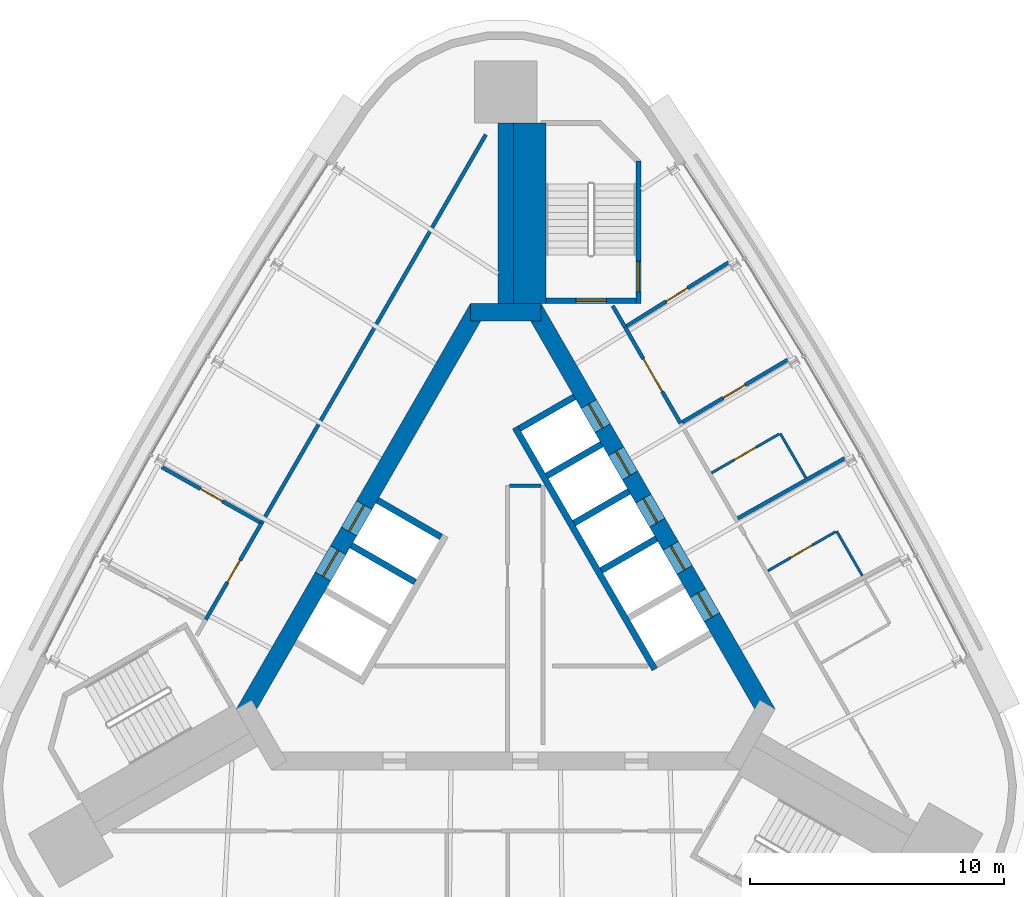
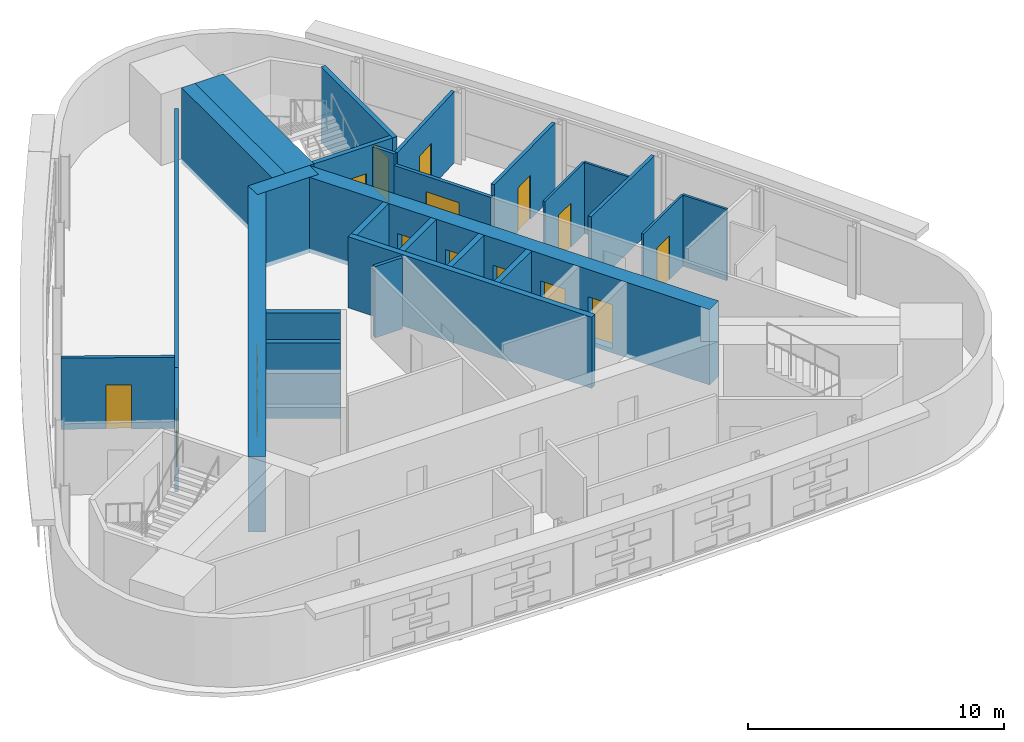
# One storey, part 7 of 10: 27 walls, 16 doors, 16 openings.
"""IFC4 building model written with IfcOpenShell, lengths in metres."""

from ifc_helpers import new_model, si_unit, direction, frame, frame_2d, origin, place, context, subcontext, project, spatial, rectangle, extrude, material, layer, layer_set, type_object, element, fill, save


model = new_model("IFC4")

# Units and contexts
model_context = context("Model", 3, precision=1e-05, world=origin(), true_north=direction((0.0, 1.0)))
body_context = subcontext(model_context, "Body", "Model", "MODEL_VIEW")
ifc_project = project(units=[si_unit("LENGTHUNIT", "METRE"), si_unit("AREAUNIT", "SQUARE_METRE"), si_unit("VOLUMEUNIT", "CUBIC_METRE"), si_unit("PLANEANGLEUNIT", "RADIAN"), si_unit("MASSUNIT", "GRAM", prefix="KILO")], contexts=[model_context])

# Site, building, storey
site_placement = place(None, origin())
site = spatial("IfcSite", under=ifc_project, at=site_placement, CompositionType="ELEMENT")
building_placement = place(site_placement, origin())
building = spatial("IfcBuilding", under=site, at=building_placement, Name="Noor Cloister Tower", CompositionType="ELEMENT")
storey_placement = place(building_placement, frame((0.0, 0.0, 240.0)))
storey = spatial("IfcBuildingStorey", under=building, at=storey_placement, Name="L62", CompositionType="ELEMENT", Elevation=240.0)

# Walls
ifc_material_1 = material(Name="Concrete C60/75", Category="concrete")
ifc_layer_1 = layer(ifc_material_1, 0.60009765625)
ifc_layer_set_1 = layer_set([ifc_layer_1], Name="Buttress wall 600 C60/75")
wall_type_1 = type_object("IfcWallType", Name="Buttress wall 600 C60/75", PredefinedType="SHEAR", material=ifc_layer_set_1)
wall_1_placement = place(storey_placement, frame((0.0, 11.456298828125, -0.199951171875), z_axis=(0.0, 0.0, 1.0), x_axis=(0.0, 1.0, 0.0)))
element("IfcWall", 1, at=wall_1_placement, inside=storey, type_object=wall_type_1, Name="Buttress wall N L62", PredefinedType="SHEAR", context=body_context, shape_type="SweptSolid", body=[
    extrude(rectangle(XDim=7.09375, YDim=0.60009765625, at=frame_2d((3.546875, 0.0))), origin(), (0.0, 0.0, 1.0), 3.599853515625),
])
ifc_material_2 = material(Name="Concrete C30/37", Category="concrete")
ifc_layer_2 = layer(ifc_material_2, 0.14990234375)
ifc_layer_set_2 = layer_set([ifc_layer_2], Name="Core partition 150 C30/37")
wall_type_2 = type_object("IfcWallType", Name="Core partition 150 C30/37", PredefinedType="PARTITIONING", material=ifc_layer_set_2)
wall_2_placement = place(storey_placement, frame((0.146240234375, 4.271728515625, 0.0), z_axis=(0.0, 0.0, 1.0), x_axis=(1.0, 0.0, 0.0)))
element("IfcWall", 2, at=wall_2_placement, inside=storey, type_object=wall_type_2, Name="Core room partition L62 3", PredefinedType="PARTITIONING", context=body_context, shape_type="SweptSolid", body=[
    extrude(rectangle(XDim=1.25, YDim=0.14990234375, at=frame_2d((0.625, 0.0))), origin(), (0.0, 0.0, 1.0), 3.39990234375),
])

# Wall, openings, doors
ifc_material_3 = material(Name="Concrete C60/75", Category="concrete")
ifc_layer_3 = layer(ifc_material_3, 0.699951171875)
ifc_layer_set_3 = layer_set([ifc_layer_3], Name="Core wall 700 C60/75")
wall_type_3 = type_object("IfcWallType", Name="Core wall 700 C60/75", PredefinedType="SHEAR", material=ifc_layer_set_3)
wall_3_placement = place(storey_placement, frame((10.311279296875, -4.703125, -0.199951171875), z_axis=(0.0, 0.0, 1.0), x_axis=(-0.500001446645, 0.866024568562, 0.0)))
wall_3 = element("IfcWall", 3, at=wall_3_placement, inside=storey, type_object=wall_type_3, Name="Core wall L62 3", PredefinedType="SHEAR", context=body_context, shape_type="SweptSolid", body=[
    extrude(rectangle(XDim=18.45751953125, YDim=0.699951171875, at=frame_2d((9.228759765625, 0.0))), origin(), (0.0, 0.0, 1.0), 3.599853515625),
])
opening_1_placement = place(wall_3_placement, frame((4.378662109375, 0.0, 0.199951171875)))
opening_1 = element("IfcOpeningElement", 4, at=opening_1_placement, cuts=wall_3, Name="Opening L62-HR1", PredefinedType="OPENING", context=body_context, shape_type="SweptSolid", body=[
    extrude(rectangle(XDim=1.10009765625, YDim=2.10009765625, at=frame_2d((0.550048828125, 1.050048828125))), frame((0.0, 0.35986328125, 0.0), z_axis=(0.0, -1.0, 0.0), x_axis=(1.0, 0.0, 0.0)), (0.0, 0.0, 1.0), 0.719970703125),
])
opening_2_placement = place(wall_3_placement, frame((6.52880859375, 0.0, 0.199951171875)))
opening_2 = element("IfcOpeningElement", 5, at=opening_2_placement, cuts=wall_3, Name="Opening L62-HR2", PredefinedType="OPENING", context=body_context, shape_type="SweptSolid", body=[
    extrude(rectangle(XDim=1.10009765625, YDim=2.10009765625, at=frame_2d((0.550048828125, 1.050048828125))), frame((0.0, 0.35986328125, 0.0), z_axis=(0.0, -1.0, 0.0), x_axis=(1.0, 0.0, 0.0)), (0.0, 0.0, 1.0), 0.719970703125),
])
opening_3_placement = place(wall_3_placement, frame((8.6787109375, 0.0, 0.199951171875)))
opening_3 = element("IfcOpeningElement", 6, at=opening_3_placement, cuts=wall_3, Name="Opening L62-HR3", PredefinedType="OPENING", context=body_context, shape_type="SweptSolid", body=[
    extrude(rectangle(XDim=1.10009765625, YDim=2.10009765625, at=frame_2d((0.550048828125, 1.050048828125))), frame((0.0, 0.35986328125, 0.0), z_axis=(0.0, -1.0, 0.0), x_axis=(1.0, 0.0, 0.0)), (0.0, 0.0, 1.0), 0.719970703125),
])
opening_4_placement = place(wall_3_placement, frame((10.82861328125, 0.0, 0.199951171875)))
opening_4 = element("IfcOpeningElement", 7, at=opening_4_placement, cuts=wall_3, Name="Opening L62-HR4", PredefinedType="OPENING", context=body_context, shape_type="SweptSolid", body=[
    extrude(rectangle(XDim=1.10009765625, YDim=2.10009765625, at=frame_2d((0.550048828125, 1.050048828125))), frame((0.0, 0.35986328125, 0.0), z_axis=(0.0, -1.0, 0.0), x_axis=(1.0, 0.0, 0.0)), (0.0, 0.0, 1.0), 0.719970703125),
])
opening_5_placement = place(wall_3_placement, frame((12.978759765625, 0.0, 0.199951171875)))
opening_5 = element("IfcOpeningElement", 8, at=opening_5_placement, cuts=wall_3, Name="Opening L62-HR5", PredefinedType="OPENING", context=body_context, shape_type="SweptSolid", body=[
    extrude(rectangle(XDim=1.10009765625, YDim=2.10009765625, at=frame_2d((0.550048828125, 1.050048828125))), frame((0.0, 0.35986328125, 0.0), z_axis=(0.0, -1.0, 0.0), x_axis=(1.0, 0.0, 0.0)), (0.0, 0.0, 1.0), 0.719970703125),
])
ifc_material_4 = material(Name="Stainless steel", Category="steel")
door_type_1 = type_object("IfcDoorType", Name="Lift landing door 1100 x 2100", OperationType="DOUBLE_DOOR_SLIDING", PredefinedType="DOOR", material=ifc_material_4)
door_1_placement = place(opening_1_placement, origin())
door_1 = element("IfcDoor", 9, at=door_1_placement, inside=storey, type_object=door_type_1, Name="Landing door HR1 L62", OperationType="DOUBLE_DOOR_SLIDING", OverallHeight=2.10009765625, OverallWidth=1.10009765625, PredefinedType="DOOR", context=body_context, shape_type="SweptSolid", body=[
    extrude(rectangle(XDim=1.10009765625, YDim=2.10009765625, at=frame_2d((0.550048828125, 1.050048828125))), frame((0.0, 0.02490234375, 0.0), z_axis=(0.0, -1.0, 0.0), x_axis=(1.0, 0.0, 0.0)), (0.0, 0.0, 1.0), 0.050048828125),
])
fill(opening_1, door_1)
door_2_placement = place(opening_2_placement, origin())
door_2 = element("IfcDoor", 10, at=door_2_placement, inside=storey, type_object=door_type_1, Name="Landing door HR2 L62", OperationType="DOUBLE_DOOR_SLIDING", OverallHeight=2.10009765625, OverallWidth=1.10009765625, PredefinedType="DOOR", context=body_context, shape_type="SweptSolid", body=[
    extrude(rectangle(XDim=1.10009765625, YDim=2.10009765625, at=frame_2d((0.550048828125, 1.050048828125))), frame((0.0, 0.02490234375, 0.0), z_axis=(0.0, -1.0, 0.0), x_axis=(1.0, 0.0, 0.0)), (0.0, 0.0, 1.0), 0.050048828125),
])
fill(opening_2, door_2)
door_3_placement = place(opening_3_placement, origin())
door_3 = element("IfcDoor", 11, at=door_3_placement, inside=storey, type_object=door_type_1, Name="Landing door HR3 L62", OperationType="DOUBLE_DOOR_SLIDING", OverallHeight=2.10009765625, OverallWidth=1.10009765625, PredefinedType="DOOR", context=body_context, shape_type="SweptSolid", body=[
    extrude(rectangle(XDim=1.10009765625, YDim=2.10009765625, at=frame_2d((0.550048828125, 1.050048828125))), frame((0.0, 0.02490234375, 0.0), z_axis=(0.0, -1.0, 0.0), x_axis=(1.0, 0.0, 0.0)), (0.0, 0.0, 1.0), 0.050048828125),
])
fill(opening_3, door_3)
door_4_placement = place(opening_4_placement, origin())
door_4 = element("IfcDoor", 12, at=door_4_placement, inside=storey, type_object=door_type_1, Name="Landing door HR4 L62", OperationType="DOUBLE_DOOR_SLIDING", OverallHeight=2.10009765625, OverallWidth=1.10009765625, PredefinedType="DOOR", context=body_context, shape_type="SweptSolid", body=[
    extrude(rectangle(XDim=1.10009765625, YDim=2.10009765625, at=frame_2d((0.550048828125, 1.050048828125))), frame((0.0, 0.02490234375, 0.0), z_axis=(0.0, -1.0, 0.0), x_axis=(1.0, 0.0, 0.0)), (0.0, 0.0, 1.0), 0.050048828125),
])
fill(opening_4, door_4)
door_5_placement = place(opening_5_placement, origin())
door_5 = element("IfcDoor", 13, at=door_5_placement, inside=storey, type_object=door_type_1, Name="Landing door HR5 L62", OperationType="DOUBLE_DOOR_SLIDING", OverallHeight=2.10009765625, OverallWidth=1.10009765625, PredefinedType="DOOR", context=body_context, shape_type="SweptSolid", body=[
    extrude(rectangle(XDim=1.10009765625, YDim=2.10009765625, at=frame_2d((0.550048828125, 1.050048828125))), frame((0.0, 0.02490234375, 0.0), z_axis=(0.0, -1.0, 0.0), x_axis=(1.0, 0.0, 0.0)), (0.0, 0.0, 1.0), 0.050048828125),
])
fill(opening_5, door_5)

# Wall
wall_4_placement = place(storey_placement, frame((1.3857421875, 11.1064453125, -0.199951171875), z_axis=(0.0, 0.0, 1.0), x_axis=(-1.0, 0.0, 0.0)))
element("IfcWall", 14, at=wall_4_placement, inside=storey, type_object=wall_type_3, Name="Core wall L62 4", PredefinedType="SHEAR", context=body_context, shape_type="SweptSolid", body=[
    extrude(rectangle(XDim=2.771484375, YDim=0.699951171875, at=frame_2d((1.3857421875, 0.0))), origin(), (0.0, 0.0, 1.0), 3.599853515625),
])

# Wall, openings, doors
wall_5_placement = place(storey_placement, frame((-1.08251953125, 11.281494140625, -0.199951171875), z_axis=(0.0, 0.0, 1.0), x_axis=(-0.500001446645, -0.866024568562, 0.0)))
wall_5 = element("IfcWall", 15, at=wall_5_placement, inside=storey, type_object=wall_type_3, Name="Core wall L62 5", PredefinedType="SHEAR", context=body_context, shape_type="SweptSolid", body=[
    extrude(rectangle(XDim=18.45751953125, YDim=0.699951171875, at=frame_2d((9.228759765625, 0.0))), origin(), (0.0, 0.0, 1.0), 3.599853515625),
])
opening_6_placement = place(wall_5_placement, frame((8.978759765625, 0.0, 0.199951171875)))
opening_6 = element("IfcOpeningElement", 16, at=opening_6_placement, cuts=wall_5, Name="Opening L62-FF1", PredefinedType="OPENING", context=body_context, shape_type="SweptSolid", body=[
    extrude(rectangle(XDim=1.199951171875, YDim=2.10009765625, at=frame_2d((0.60009765625, 1.050048828125))), frame((0.0, 0.35986328125, 0.0), z_axis=(0.0, -1.0, 0.0), x_axis=(1.0, 0.0, 0.0)), (0.0, 0.0, 1.0), 0.719970703125),
])
opening_7_placement = place(wall_5_placement, frame((11.02880859375, 0.0, 0.199951171875)))
opening_7 = element("IfcOpeningElement", 17, at=opening_7_placement, cuts=wall_5, Name="Opening L62-FF2", PredefinedType="OPENING", context=body_context, shape_type="SweptSolid", body=[
    extrude(rectangle(XDim=1.199951171875, YDim=2.10009765625, at=frame_2d((0.60009765625, 1.050048828125))), frame((0.0, 0.35986328125, 0.0), z_axis=(0.0, -1.0, 0.0), x_axis=(1.0, 0.0, 0.0)), (0.0, 0.0, 1.0), 0.719970703125),
])
ifc_material_5 = material(Name="Stainless steel", Category="steel")
door_type_2 = type_object("IfcDoorType", Name="Lift landing door 1200 x 2100", OperationType="DOUBLE_DOOR_SLIDING", PredefinedType="DOOR", material=ifc_material_5)
door_6_placement = place(opening_6_placement, origin())
door_6 = element("IfcDoor", 18, at=door_6_placement, inside=storey, type_object=door_type_2, Name="Landing door FF1 L62", OperationType="DOUBLE_DOOR_SLIDING", OverallHeight=2.10009765625, OverallWidth=1.199951171875, PredefinedType="DOOR", context=body_context, shape_type="SweptSolid", body=[
    extrude(rectangle(XDim=1.199951171875, YDim=2.10009765625, at=frame_2d((0.60009765625, 1.050048828125))), frame((0.0, 0.02490234375, 0.0), z_axis=(0.0, -1.0, 0.0), x_axis=(1.0, 0.0, 0.0)), (0.0, 0.0, 1.0), 0.050048828125),
])
fill(opening_6, door_6)
door_7_placement = place(opening_7_placement, origin())
door_7 = element("IfcDoor", 19, at=door_7_placement, inside=storey, type_object=door_type_2, Name="Landing door FF2 L62", OperationType="DOUBLE_DOOR_SLIDING", OverallHeight=2.10009765625, OverallWidth=1.199951171875, PredefinedType="DOOR", context=body_context, shape_type="SweptSolid", body=[
    extrude(rectangle(XDim=1.199951171875, YDim=2.10009765625, at=frame_2d((0.60009765625, 1.050048828125))), frame((0.0, 0.02490234375, 0.0), z_axis=(0.0, -1.0, 0.0), x_axis=(1.0, 0.0, 0.0)), (0.0, 0.0, 1.0), 0.050048828125),
])
fill(opening_7, door_7)

# Wall
ifc_material_6 = material(Name="Fire-rated gypsum board partition on steel studs, 150 mm", Category="steel")
ifc_layer_4 = layer(ifc_material_6, 0.14990234375)
ifc_layer_set_4 = layer_set([ifc_layer_4], Name="Fire lobby wall 150")
wall_type_4 = type_object("IfcWallType", Name="Fire lobby wall 150", PredefinedType="PARTITIONING", material=ifc_layer_set_4)
wall_6_placement = place(storey_placement, frame((-0.783203125, 18.10009765625, 0.0), z_axis=(0.0, 0.0, 1.0), x_axis=(-0.499991500055, -0.866030311174, 0.0)))
element("IfcWall", 20, at=wall_6_placement, inside=storey, type_object=wall_type_4, Name="Wall L62-W21", PredefinedType="PARTITIONING", context=body_context, shape_type="SweptSolid", body=[
    extrude(rectangle(XDim=17.673583984375, YDim=0.14990234375, at=frame_2d((8.8369140625, 0.0))), origin(), (0.0, 0.0, 1.0), 2.85205078125),
])

# Wall, opening, door
wall_7_placement = place(storey_placement, frame((-9.619873046875, 2.794189453125, 0.0), z_axis=(0.0, 0.0, 1.0), x_axis=(-0.500021421018, -0.866013036001, 0.0)))
wall_7 = element("IfcWall", 21, at=wall_7_placement, inside=storey, type_object=wall_type_4, Name="Wall L62-W25", PredefinedType="PARTITIONING", context=body_context, shape_type="SweptSolid", body=[
    extrude(rectangle(XDim=4.382568359375, YDim=0.14990234375, at=frame_2d((2.19140625, 0.0))), origin(), (0.0, 0.0, 1.0), 2.85205078125),
])
opening_8_placement = place(wall_7_placement, frame((1.69140625, 0.0, 0.0)))
opening_8 = element("IfcOpeningElement", 22, at=opening_8_placement, cuts=wall_7, Name="Opening L62-014", PredefinedType="OPENING", context=body_context, shape_type="SweptSolid", body=[
    extrude(rectangle(XDim=1.0, YDim=2.10009765625, at=frame_2d((0.5, 1.050048828125))), frame((0.0, 0.0849609375, 0.0), z_axis=(0.0, -1.0, 0.0), x_axis=(1.0, 0.0, 0.0)), (0.0, 0.0, 1.0), 0.169921875),
])
ifc_material_7 = material(Name="Timber door leaf with steel frame", Category="steel")
door_type_3 = type_object("IfcDoorType", Name="Fire lobby door 1000", OperationType="NOTDEFINED", PredefinedType="DOOR", material=ifc_material_7)
door_8_placement = place(opening_8_placement, origin())
door_8 = element("IfcDoor", 23, at=door_8_placement, inside=storey, type_object=door_type_3, Name="Door L62-014", OperationType="SINGLE_SWING_RIGHT", OverallHeight=2.10009765625, OverallWidth=1.0, PredefinedType="DOOR", context=body_context, shape_type="SweptSolid", body=[
    extrude(rectangle(XDim=1.0, YDim=2.10009765625, at=frame_2d((0.5, 1.050048828125))), frame((0.0, 0.02490234375, 0.0), z_axis=(0.0, -1.0, 0.0), x_axis=(1.0, 0.0, 0.0)), (0.0, 0.0, 1.0), 0.050048828125),
])
fill(opening_8, door_8)

# Wall
ifc_material_8 = material(Name="Gypsum board partition on steel studs, 150 mm", Category="steel")
ifc_layer_5 = layer(ifc_material_8, 0.14990234375)
ifc_layer_set_5 = layer_set([ifc_layer_5], Name="Flat wall 150")
wall_type_5 = type_object("IfcWallType", Name="Flat wall 150", PredefinedType="PARTITIONING", material=ifc_layer_set_5)
wall_8_placement = place(storey_placement, frame((4.698974609375, 10.517578125, 0.0), z_axis=(0.0, 0.0, 1.0), x_axis=(-0.500042431503, 0.866000904559, 0.0)))
element("IfcWall", 24, at=wall_8_placement, inside=storey, type_object=wall_type_5, Name="Wall L62-W02", PredefinedType="PARTITIONING", context=body_context, shape_type="SweptSolid", body=[
    extrude(rectangle(XDim=0.96875, YDim=0.14990234375, at=frame_2d((0.484375, 0.0))), origin(), (0.0, 0.0, 1.0), 3.39990234375),
])

# Wall, opening, door
wall_9_placement = place(storey_placement, frame((11.115966796875, 9.237548828125, 0.0), z_axis=(0.0, 0.0, 1.0), x_axis=(-0.860234203322, -0.509899122803, 0.0)))
wall_9 = element("IfcWall", 25, at=wall_9_placement, inside=storey, type_object=wall_type_5, Name="Wall L62-W03", PredefinedType="PARTITIONING", context=body_context, shape_type="SweptSolid", body=[
    extrude(rectangle(XDim=4.842529296875, YDim=0.14990234375, at=frame_2d((2.42138671875, 0.0))), origin(), (0.0, 0.0, 1.0), 3.39990234375),
])
opening_9_placement = place(wall_9_placement, frame((1.958740234375, 0.0, 0.0)))
opening_9 = element("IfcOpeningElement", 26, at=opening_9_placement, cuts=wall_9, Name="Opening L62-007", PredefinedType="OPENING", context=body_context, shape_type="SweptSolid", body=[
    extrude(rectangle(XDim=1.0, YDim=2.10009765625, at=frame_2d((0.5, 1.050048828125))), frame((0.0, 0.0849609375, 0.0), z_axis=(0.0, -1.0, 0.0), x_axis=(1.0, 0.0, 0.0)), (0.0, 0.0, 1.0), 0.169921875),
])
ifc_material_9 = material(Name="Timber door leaf with steel frame", Category="steel")
door_type_4 = type_object("IfcDoorType", Name="Flat entrance door 1000", OperationType="NOTDEFINED", PredefinedType="DOOR", material=ifc_material_9)
door_9_placement = place(opening_9_placement, origin())
door_9 = element("IfcDoor", 27, at=door_9_placement, inside=storey, type_object=door_type_4, Name="Door L62-007", OperationType="SINGLE_SWING_LEFT", OverallHeight=2.10009765625, OverallWidth=1.0, PredefinedType="DOOR", context=body_context, shape_type="SweptSolid", body=[
    extrude(rectangle(XDim=1.0, YDim=2.10009765625, at=frame_2d((0.5, 1.050048828125))), frame((0.0, 0.02490234375, 0.0), z_axis=(0.0, -1.0, 0.0), x_axis=(1.0, 0.0, 0.0)), (0.0, 0.0, 1.0), 0.050048828125),
])
fill(opening_9, door_9)

wall_10_placement = place(storey_placement, frame((8.78173828125, 13.065673828125, 0.0), z_axis=(0.0, 0.0, 1.0), x_axis=(-0.848316605914, -0.529489316351, 0.0)))
wall_10 = element("IfcWall", 28, at=wall_10_placement, inside=storey, type_object=wall_type_5, Name="Wall L62-W04", PredefinedType="PARTITIONING", context=body_context, shape_type="SweptSolid", body=[
    extrude(rectangle(XDim=4.737548828125, YDim=0.14990234375, at=frame_2d((2.36865234375, 0.0))), origin(), (0.0, 0.0, 1.0), 3.39990234375),
])
opening_10_placement = place(wall_10_placement, frame((1.90625, 0.0, 0.0)))
opening_10 = element("IfcOpeningElement", 29, at=opening_10_placement, cuts=wall_10, Name="Opening L62-008", PredefinedType="OPENING", context=body_context, shape_type="SweptSolid", body=[
    extrude(rectangle(XDim=1.0, YDim=2.10009765625, at=frame_2d((0.5, 1.050048828125))), frame((0.0, 0.0849609375, 0.0), z_axis=(0.0, -1.0, 0.0), x_axis=(1.0, 0.0, 0.0)), (0.0, 0.0, 1.0), 0.169921875),
])
ifc_material_10 = material(Name="Timber door leaf with steel frame", Category="steel")
door_type_5 = type_object("IfcDoorType", Name="Interior door 1000 FD60", OperationType="NOTDEFINED", PredefinedType="DOOR", material=ifc_material_10)
door_10_placement = place(opening_10_placement, origin())
door_10 = element("IfcDoor", 30, at=door_10_placement, inside=storey, type_object=door_type_5, Name="Door L62-008", OperationType="SINGLE_SWING_RIGHT", OverallHeight=2.10009765625, OverallWidth=1.0, PredefinedType="DOOR", context=body_context, shape_type="SweptSolid", body=[
    extrude(rectangle(XDim=1.0, YDim=2.10009765625, at=frame_2d((0.5, 1.050048828125))), frame((0.0, 0.02490234375, 0.0), z_axis=(0.0, -1.0, 0.0), x_axis=(1.0, 0.0, 0.0)), (0.0, 0.0, 1.0), 0.050048828125),
])
fill(opening_10, door_10)

wall_11_placement = place(storey_placement, frame((6.8857421875, 6.72998046875, 0.0), z_axis=(0.0, 0.0, 1.0), x_axis=(-0.499999494409, 0.866025695687, 0.0)))
wall_11 = element("IfcWall", 31, at=wall_11_placement, inside=storey, type_object=wall_type_5, Name="Wall L62-W05", PredefinedType="PARTITIONING", context=body_context, shape_type="SweptSolid", body=[
    extrude(rectangle(XDim=4.37353515625, YDim=0.14990234375, at=frame_2d((2.186767578125, 0.0))), origin(), (0.0, 0.0, 1.0), 2.85205078125),
])
opening_11_placement = place(wall_11_placement, frame((1.436767578125, 0.0, 0.0)))
opening_11 = element("IfcOpeningElement", 32, at=opening_11_placement, cuts=wall_11, Name="Opening L62-001", PredefinedType="OPENING", context=body_context, shape_type="SweptSolid", body=[
    extrude(rectangle(XDim=1.5, YDim=2.10009765625, at=frame_2d((0.75, 1.050048828125))), frame((0.0, 0.0849609375, 0.0), z_axis=(0.0, -1.0, 0.0), x_axis=(1.0, 0.0, 0.0)), (0.0, 0.0, 1.0), 0.169921875),
])
ifc_material_11 = material(Name="Timber door leaf with steel frame", Category="steel")
door_type_6 = type_object("IfcDoorType", Name="Double door 1500 FD60", OperationType="NOTDEFINED", PredefinedType="DOOR", material=ifc_material_11)
door_11_placement = place(opening_11_placement, origin())
door_11 = element("IfcDoor", 33, at=door_11_placement, inside=storey, type_object=door_type_6, Name="Door L62-001", OperationType="DOUBLE_DOOR_SINGLE_SWING", OverallHeight=2.10009765625, OverallWidth=1.5, PredefinedType="DOOR", context=body_context, shape_type="SweptSolid", body=[
    extrude(rectangle(XDim=1.5, YDim=2.10009765625, at=frame_2d((0.75, 1.050048828125))), frame((0.0, 0.02490234375, 0.0), z_axis=(0.0, -1.0, 0.0), x_axis=(1.0, 0.0, 0.0)), (0.0, 0.0, 1.0), 0.050048828125),
])
fill(opening_11, door_11)

# Wall
wall_12_placement = place(storey_placement, frame((13.36181640625, 5.356689453125, 0.0), z_axis=(0.0, 0.0, 1.0), x_axis=(-0.871708672205, -0.490024479799, 0.0)))
element("IfcWall", 34, at=wall_12_placement, inside=storey, type_object=wall_type_5, Name="Wall L62-W11", PredefinedType="PARTITIONING", context=body_context, shape_type="SweptSolid", body=[
    extrude(rectangle(XDim=4.84716796875, YDim=0.14990234375, at=frame_2d((2.423583984375, 0.0))), origin(), (0.0, 0.0, 1.0), 3.39990234375),
])

# Wall, opening, door
wall_13_placement = place(storey_placement, frame((-13.557861328125, 5.008056640625, 0.0), z_axis=(0.0, 0.0, 1.0), x_axis=(0.871701726161, -0.490036835971, 0.0)))
wall_13 = element("IfcWall", 35, at=wall_13_placement, inside=storey, type_object=wall_type_5, Name="Wall L62-W23", PredefinedType="PARTITIONING", context=body_context, shape_type="SweptSolid", body=[
    extrude(rectangle(XDim=4.442626953125, YDim=0.14990234375, at=frame_2d((2.22119140625, 0.0))), origin(), (0.0, 0.0, 1.0), 3.39990234375),
])
opening_12_placement = place(wall_13_placement, frame((1.7587890625, 0.0, 0.0)))
opening_12 = element("IfcOpeningElement", 36, at=opening_12_placement, cuts=wall_13, Name="Opening L62-015", PredefinedType="OPENING", context=body_context, shape_type="SweptSolid", body=[
    extrude(rectangle(XDim=1.0, YDim=2.10009765625, at=frame_2d((0.5, 1.050048828125))), frame((0.0, 0.0849609375, 0.0), z_axis=(0.0, -1.0, 0.0), x_axis=(1.0, 0.0, 0.0)), (0.0, 0.0, 1.0), 0.169921875),
])
door_12_placement = place(opening_12_placement, origin())
door_12 = element("IfcDoor", 37, at=door_12_placement, inside=storey, type_object=door_type_5, Name="Door L62-015", OperationType="SINGLE_SWING_LEFT", OverallHeight=2.10009765625, OverallWidth=1.0, PredefinedType="DOOR", context=body_context, shape_type="SweptSolid", body=[
    extrude(rectangle(XDim=1.0, YDim=2.10009765625, at=frame_2d((0.5, 1.050048828125))), frame((0.0, 0.02490234375, 0.0), z_axis=(0.0, -1.0, 0.0), x_axis=(1.0, 0.0, 0.0)), (0.0, 0.0, 1.0), 0.050048828125),
])
fill(opening_12, door_12)

# Wall
ifc_material_12 = material(Name="Gypsum board partition on steel studs, 100 mm", Category="steel")
ifc_layer_6 = layer(ifc_material_12, 0.10009765625)
ifc_layer_set_6 = layer_set([ifc_layer_6], Name="Partition 100")
wall_type_6 = type_object("IfcWallType", Name="Partition 100", PredefinedType="PARTITIONING", material=ifc_layer_set_6)
wall_14_placement = place(storey_placement, frame((14.046630859375, 0.72705078125, 0.0), z_axis=(0.0, 0.0, 1.0), x_axis=(-0.499990325971, 0.866030989016, 0.0)))
element("IfcWall", 38, at=wall_14_placement, inside=storey, type_object=wall_type_6, Name="Wall L62-W09", PredefinedType="PARTITIONING", context=body_context, shape_type="SweptSolid", body=[
    extrude(rectangle(XDim=2.02490234375, YDim=0.10009765625, at=frame_2d((1.012451171875, 0.0))), origin(), (0.0, 0.0, 1.0), 3.39990234375),
])

# Wall, opening, door
wall_15_placement = place(storey_placement, frame((12.99072265625, 2.45556640625, 0.0), z_axis=(0.0, 0.0, 1.0), x_axis=(-0.866030883713, -0.499990508365, 0.0)))
wall_15 = element("IfcWall", 39, at=wall_15_placement, inside=storey, type_object=wall_type_6, Name="Wall L62-W10", PredefinedType="PARTITIONING", context=body_context, shape_type="SweptSolid", body=[
    extrude(rectangle(XDim=3.07470703125, YDim=0.10009765625, at=frame_2d((1.537353515625, 0.0))), origin(), (0.0, 0.0, 1.0), 3.39990234375),
])
opening_13_placement = place(wall_15_placement, frame((1.050048828125, 0.0, 0.0)))
opening_13 = element("IfcOpeningElement", 40, at=opening_13_placement, cuts=wall_15, Name="Opening L62-004", PredefinedType="OPENING", context=body_context, shape_type="SweptSolid", body=[
    extrude(rectangle(XDim=1.0, YDim=2.10009765625, at=frame_2d((0.5, 1.050048828125))), frame((0.0, 0.06005859375, 0.0), z_axis=(0.0, -1.0, 0.0), x_axis=(1.0, 0.0, 0.0)), (0.0, 0.0, 1.0), 0.1201171875),
])
ifc_material_13 = material(Name="Timber door leaf with steel frame", Category="steel")
door_type_7 = type_object("IfcDoorType", Name="Interior door 1000", OperationType="NOTDEFINED", PredefinedType="DOOR", material=ifc_material_13)
door_13_placement = place(opening_13_placement, origin())
door_13 = element("IfcDoor", 41, at=door_13_placement, inside=storey, type_object=door_type_7, Name="Door L62-004", OperationType="SINGLE_SWING_RIGHT", OverallHeight=2.10009765625, OverallWidth=1.0, PredefinedType="DOOR", context=body_context, shape_type="SweptSolid", body=[
    extrude(rectangle(XDim=1.0, YDim=2.10009765625, at=frame_2d((0.5, 1.050048828125))), frame((0.0, 0.02490234375, 0.0), z_axis=(0.0, -1.0, 0.0), x_axis=(1.0, 0.0, 0.0)), (0.0, 0.0, 1.0), 0.050048828125),
])
fill(opening_13, door_13)

# Wall
wall_16_placement = place(storey_placement, frame((11.8232421875, 4.577880859375, 0.0), z_axis=(0.0, 0.0, 1.0), x_axis=(-0.499990325971, 0.866030989016, 0.0)))
element("IfcWall", 42, at=wall_16_placement, inside=storey, type_object=wall_type_6, Name="Wall L62-W12", PredefinedType="PARTITIONING", context=body_context, shape_type="SweptSolid", body=[
    extrude(rectangle(XDim=2.02490234375, YDim=0.10009765625, at=frame_2d((1.012451171875, 0.0))), origin(), (0.0, 0.0, 1.0), 3.39990234375),
])

# Wall, opening, door
wall_17_placement = place(storey_placement, frame((10.767578125, 6.306396484375, 0.0), z_axis=(0.0, 0.0, 1.0), x_axis=(-0.866050731258, -0.499956128963, 0.0)))
wall_17 = element("IfcWall", 43, at=wall_17_placement, inside=storey, type_object=wall_type_6, Name="Wall L62-W13", PredefinedType="PARTITIONING", context=body_context, shape_type="SweptSolid", body=[
    extrude(rectangle(XDim=3.074951171875, YDim=0.10009765625, at=frame_2d((1.53759765625, 0.0))), origin(), (0.0, 0.0, 1.0), 3.39990234375),
])
opening_14_placement = place(wall_17_placement, frame((1.050048828125, 0.0, 0.0)))
opening_14 = element("IfcOpeningElement", 44, at=opening_14_placement, cuts=wall_17, Name="Opening L62-006", PredefinedType="OPENING", context=body_context, shape_type="SweptSolid", body=[
    extrude(rectangle(XDim=1.0, YDim=2.10009765625, at=frame_2d((0.5, 1.050048828125))), frame((0.0, 0.06005859375, 0.0), z_axis=(0.0, -1.0, 0.0), x_axis=(1.0, 0.0, 0.0)), (0.0, 0.0, 1.0), 0.1201171875),
])
door_14_placement = place(opening_14_placement, origin())
door_14 = element("IfcDoor", 45, at=door_14_placement, inside=storey, type_object=door_type_7, Name="Door L62-006", OperationType="SINGLE_SWING_RIGHT", OverallHeight=2.10009765625, OverallWidth=1.0, PredefinedType="DOOR", context=body_context, shape_type="SweptSolid", body=[
    extrude(rectangle(XDim=1.0, YDim=2.10009765625, at=frame_2d((0.5, 1.050048828125))), frame((0.0, 0.02490234375, 0.0), z_axis=(0.0, -1.0, 0.0), x_axis=(1.0, 0.0, 0.0)), (0.0, 0.0, 1.0), 0.050048828125),
])
fill(opening_14, door_14)

# Walls
ifc_material_14 = material(Name="Concrete C60/75", Category="concrete")
ifc_layer_7 = layer(ifc_material_14, 0.25)
ifc_layer_set_7 = layer_set([ifc_layer_7], Name="Shaft wall 250 C60/75")
wall_type_7 = type_object("IfcWallType", Name="Shaft wall 250 C60/75", PredefinedType="PARTITIONING", material=ifc_layer_set_7)
wall_18_placement = place(storey_placement, frame((5.931396484375, 2.18310546875, -0.199951171875), z_axis=(0.0, 0.0, 1.0), x_axis=(-0.866047370643, -0.499961950354, 0.0)))
element("IfcWall", 46, at=wall_18_placement, inside=storey, type_object=wall_type_7, Name="Lift shaft wall L62 NE 3", PredefinedType="PARTITIONING", context=body_context, shape_type="SweptSolid", body=[
    extrude(rectangle(XDim=2.500244140625, YDim=0.25, at=frame_2d((1.25, 0.0))), origin(), (0.0, 0.0, 1.0), 3.599853515625),
])
for number, where, z_axis, x_axis, name in (
    (47, (4.856201171875, 4.045166015625, -0.199951171875), (0.0, 0.0, 1.0), (-0.866022959057, -0.500004234368, 0.0), "Lift shaft wall L62 NE 4"),
    (48, (3.78125, 5.906982421875, -0.199951171875), (0.0, 0.0, 1.0), (-0.866022959057, -0.500004234368, 0.0), "Lift shaft wall L62 NE 5"),
    (49, (2.706298828125, 7.76904296875, -0.199951171875), (0.0, 0.0, 1.0), (-0.866022959057, -0.500004234368, 0.0), "Lift shaft wall L62 NE 6"),
):
    element("IfcWall", number, at=place(storey_placement, frame(where, z_axis=z_axis, x_axis=x_axis)), inside=storey, type_object=wall_type_7, Name=name, PredefinedType="PARTITIONING", context=body_context, shape_type="SweptSolid", body=[
        extrude(rectangle(XDim=2.5, YDim=0.25, at=frame_2d((1.25, 0.0))), origin(), (0.0, 0.0, 1.0), 3.599853515625),
    ])
wall_19_placement = place(storey_placement, frame((5.870361328125, -2.96142578125, 0.0), z_axis=(0.0, 0.0, 1.0), x_axis=(-0.50000615651, 0.866021849293, 0.0)))
element("IfcWall", 50, at=wall_19_placement, inside=storey, type_object=wall_type_7, Name="Lift shaft back wall L62 NE", PredefinedType="PARTITIONING", context=body_context, shape_type="SweptSolid", body=[
    extrude(rectangle(XDim=10.999755859375, YDim=0.25, at=frame_2d((5.5, 0.0))), origin(), (0.0, 0.0, 1.0), 3.39990234375),
])
for number, where, z_axis, x_axis, name in (
    (51, (-5.056396484375, 3.69873046875, -0.199951171875), (0.0, 0.0, 1.0), (0.866032775405, -0.499987231761, 0.0), "Lift shaft wall L62 NW 3"),
    (52, (-6.081298828125, 1.92333984375, -0.199951171875), (0.0, 0.0, 1.0), (0.866032775405, -0.499987231761, 0.0), "Lift shaft wall L62 NW 4"),
):
    element("IfcWall", number, at=place(storey_placement, frame(where, z_axis=z_axis, x_axis=x_axis)), inside=storey, type_object=wall_type_7, Name=name, PredefinedType="PARTITIONING", context=body_context, shape_type="SweptSolid", body=[
        extrude(rectangle(XDim=2.89990234375, YDim=0.25, at=frame_2d((1.449951171875, 0.0))), origin(), (0.0, 0.0, 1.0), 3.599853515625),
    ])
ifc_material_15 = material(Name="Concrete C60/75", Category="concrete")
ifc_layer_8 = layer(ifc_material_15, 1.285888671875)
ifc_layer_set_8 = layer_set([ifc_layer_8], Name="Stair enclosure wall 1286 C60/75")
wall_type_8 = type_object("IfcWallType", Name="Stair enclosure wall 1286 C60/75", PredefinedType="SHEAR", material=ifc_layer_set_8)
wall_20_placement = place(storey_placement, frame((0.94287109375, 11.456298828125, -0.199951171875), z_axis=(0.0, 0.0, 1.0), x_axis=(0.0, 1.0, 0.0)))
element("IfcWall", 53, at=wall_20_placement, inside=storey, type_object=wall_type_8, Name="Stair enclosure wall ST1 L62 riser side", PredefinedType="SHEAR", context=body_context, shape_type="SweptSolid", body=[
    extrude(rectangle(XDim=7.09375, YDim=1.28564453125, at=frame_2d((3.546875, 0.0))), origin(), (0.0, 0.0, 1.0), 3.599853515625),
])

# Wall, opening, door
ifc_material_16 = material(Name="Concrete C60/75", Category="concrete")
ifc_layer_9 = layer(ifc_material_16, 0.199951171875)
ifc_layer_set_9 = layer_set([ifc_layer_9], Name="Stair enclosure wall 200 C60/75")
wall_type_9 = type_object("IfcWallType", Name="Stair enclosure wall 200 C60/75", PredefinedType="SHEAR", material=ifc_layer_set_9)
wall_21_placement = place(storey_placement, frame((5.135498046875, 11.556396484375, -0.199951171875), z_axis=(0.0, 0.0, 1.0), x_axis=(-1.0, 0.0, 0.0)))
wall_21 = element("IfcWall", 54, at=wall_21_placement, inside=storey, type_object=wall_type_9, Name="Stair enclosure wall ST1 L62 near end", PredefinedType="SHEAR", context=body_context, shape_type="SweptSolid", body=[
    extrude(rectangle(XDim=3.5498046875, YDim=0.199951171875, at=frame_2d((1.77490234375, 0.0))), origin(), (0.0, 0.0, 1.0), 3.599853515625),
])
opening_15_placement = place(wall_21_placement, frame((1.175048828125, 0.0, 0.199951171875)))
opening_15 = element("IfcOpeningElement", 55, at=opening_15_placement, cuts=wall_21, Name="Opening L62-ST1L", PredefinedType="OPENING", context=body_context, shape_type="SweptSolid", body=[
    extrude(rectangle(XDim=1.199951171875, YDim=2.10009765625, at=frame_2d((0.60009765625, 1.050048828125))), frame((0.0, 0.10986328125, 0.0), z_axis=(0.0, -1.0, 0.0), x_axis=(1.0, 0.0, 0.0)), (0.0, 0.0, 1.0), 0.219970703125),
])
ifc_material_17 = material(Name="Steel", Category="steel")
door_type_8 = type_object("IfcDoorType", Name="Stair door 1200 x 2100 FD120", OperationType="SINGLE_SWING_LEFT", PredefinedType="DOOR", material=ifc_material_17)
door_15_placement = place(opening_15_placement, origin())
door_15 = element("IfcDoor", 56, at=door_15_placement, inside=storey, type_object=door_type_8, Name="Stair door ST1 L62", OperationType="SINGLE_SWING_RIGHT", OverallHeight=2.10009765625, OverallWidth=1.199951171875, PredefinedType="DOOR", context=body_context, shape_type="SweptSolid", body=[
    extrude(rectangle(XDim=1.199951171875, YDim=2.10009765625, at=frame_2d((0.60009765625, 1.050048828125))), frame((0.0, 0.02490234375, 0.0), z_axis=(0.0, -1.0, 0.0), x_axis=(1.0, 0.0, 0.0)), (0.0, 0.0, 1.0), 0.050048828125),
])
fill(opening_15, door_15)

wall_22_placement = place(storey_placement, frame((5.235595703125, 11.456298828125, -0.199951171875), z_axis=(0.0, 0.0, 1.0), x_axis=(0.0, 1.0, 0.0)))
wall_22 = element("IfcWall", 57, at=wall_22_placement, inside=storey, type_object=wall_type_9, Name="Stair enclosure wall ST1 L62 outer side", PredefinedType="SHEAR", context=body_context, shape_type="SweptSolid", body=[
    extrude(rectangle(XDim=5.60009765625, YDim=0.199951171875, at=frame_2d((2.800048828125, 0.0))), origin(), (0.0, 0.0, 1.0), 3.599853515625),
])
opening_16_placement = place(wall_22_placement, frame((0.449951171875, 0.0, 0.199951171875)))
opening_16 = element("IfcOpeningElement", 58, at=opening_16_placement, cuts=wall_22, Name="Opening L62-ST1C", PredefinedType="OPENING", context=body_context, shape_type="SweptSolid", body=[
    extrude(rectangle(XDim=1.199951171875, YDim=2.10009765625, at=frame_2d((0.60009765625, 1.050048828125))), frame((0.0, 0.10986328125, 0.0), z_axis=(0.0, -1.0, 0.0), x_axis=(1.0, 0.0, 0.0)), (0.0, 0.0, 1.0), 0.219970703125),
])
door_16_placement = place(opening_16_placement, origin())
door_16 = element("IfcDoor", 59, at=door_16_placement, inside=storey, type_object=door_type_8, Name="Stair door ST1 L62", OperationType="SINGLE_SWING_LEFT", OverallHeight=2.10009765625, OverallWidth=1.199951171875, PredefinedType="DOOR", context=body_context, shape_type="SweptSolid", body=[
    extrude(rectangle(XDim=1.199951171875, YDim=2.10009765625, at=frame_2d((0.60009765625, 1.050048828125))), frame((0.0, 0.02490234375, 0.0), z_axis=(0.0, -1.0, 0.0), x_axis=(1.0, 0.0, 0.0)), (0.0, 0.0, 1.0), 0.050048828125),
])
fill(opening_16, door_16)

save(model, "model.ifc")
